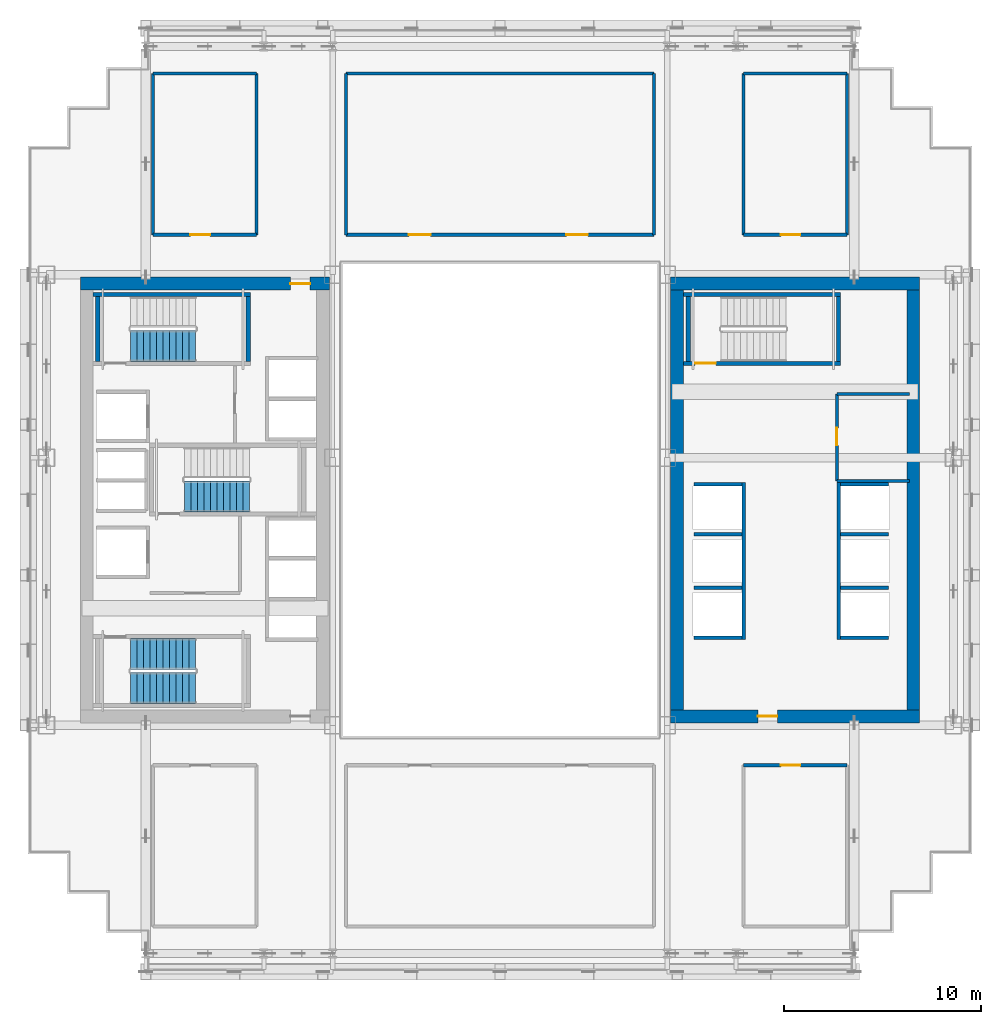
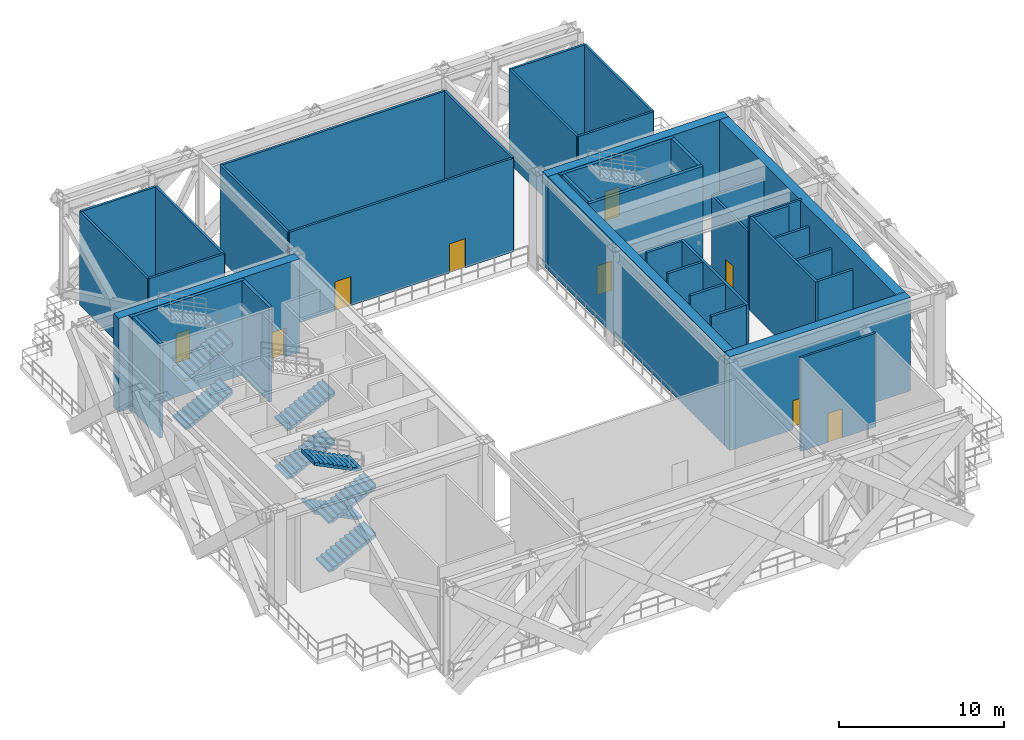
# One storey, part 8 of 14: 38 walls, 9 doors, 8 stair flights, 9 openings, 3 elements without a shape of their own.
"""IFC4 building model written with IfcOpenShell, lengths in metres."""

from ifc_helpers import new_model, si_unit, direction, frame, frame_2d, origin, place, context, subcontext, project, spatial, polyline, rectangle, outline, extrude, source, transform, mapped, material, layer, layer_set, type_object, element, fill, aggregate, save


model = new_model("IFC4")

# Units and contexts
model_context = context("Model", 3, precision=1e-05, world=origin(), true_north=direction((0.0, 1.0)))
body_context = subcontext(model_context, "Body", "Model", "MODEL_VIEW")
ifc_project = project(units=[si_unit("LENGTHUNIT", "METRE"), si_unit("AREAUNIT", "SQUARE_METRE"), si_unit("VOLUMEUNIT", "CUBIC_METRE"), si_unit("PLANEANGLEUNIT", "RADIAN"), si_unit("MASSUNIT", "GRAM", prefix="KILO")], contexts=[model_context])

# Site, building, storey
site_placement = place(None, origin())
site = spatial("IfcSite", under=ifc_project, at=site_placement, CompositionType="ELEMENT")
building_placement = place(site_placement, origin())
building = spatial("IfcBuilding", under=site, at=building_placement, Name="Ocotamira Hotel", CompositionType="ELEMENT")
storey_placement = place(building_placement, frame((0.0, 0.0, 85.199951171875)))
storey = spatial("IfcBuildingStorey", under=building, at=storey_placement, Name="L21", CompositionType="ELEMENT", Elevation=85.199951171875)

# Wall, opening, door
ifc_material_1 = material(Name="Concrete C60/75", Category="concrete")
ifc_layer_1 = layer(ifc_material_1, 0.64990234375)
ifc_layer_set_1 = layer_set([ifc_layer_1], Name="Concrete C60/75")
wall_type_1 = type_object("IfcWallType", Name="WL-CORE-650", PredefinedType="SHEAR", material=ifc_layer_set_1)
wall_1_placement = place(storey_placement, frame((10.675048828125, 37.0, 0.0), z_axis=(0.0, 0.0, 1.0), x_axis=(1.0, 0.0, 0.0)))
wall_1 = element("IfcWall", 1, at=wall_1_placement, inside=storey, type_object=wall_type_1, Name="L21 Shear Core Wall WCORE-N", PredefinedType="SHEAR", context=body_context, shape_type="SweptSolid", body=[
    extrude(rectangle(XDim=12.64990234375, YDim=0.64990234375, at=frame_2d((6.324951171875, 0.0))), origin(), (0.0, 0.0, 1.0), 6.920166015625),
])
opening_1_placement = place(wall_1_placement, frame((10.675048828125, 0.0, 0.0)))
opening_1 = element("IfcOpeningElement", 2, at=opening_1_placement, cuts=wall_1, Name="Opening D-FR2", PredefinedType="OPENING", context=body_context, shape_type="SweptSolid", body=[
    extrude(rectangle(XDim=1.0, YDim=2.14990234375, at=frame_2d((0.5, 1.074951171875))), frame((0.0, 0.3349609375, 0.0), z_axis=(0.0, -1.0, 0.0), x_axis=(1.0, 0.0, 0.0)), (0.0, 0.0, 1.0), 0.669921875),
])
ifc_material_2 = material(Name="Fire-rated acoustic timber-veneer door", Category="wood")
door_type_1 = type_object("IfcDoorType", Name="DR-FIRE-1000", OperationType="NOTDEFINED", PredefinedType="DOOR", material=ifc_material_2)
shared_shape_1 = source(origin(), body_context, "Body", "SweptSolid", [
    extrude(rectangle(XDim=1.0, YDim=2.14990234375, at=frame_2d((0.5, 1.074951171875))), frame((0.0, 0.02490234375, 0.0), z_axis=(0.0, -1.0, 0.0), x_axis=(1.0, 0.0, 0.0)), (0.0, 0.0, 1.0), 0.050048828125),
])
door_1_placement = place(opening_1_placement, origin())
door_1 = element("IfcDoor", 3, at=door_1_placement, inside=storey, type_object=door_type_1, Name="L21 Door ID-L21-WLOB-N-D [ID-L21-WLOB-N-D]", OperationType="SINGLE_SWING_RIGHT", OverallHeight=2.14990234375, OverallWidth=1.0, PredefinedType="DOOR", context=body_context, shape_type="MappedRepresentation", body=[
    mapped(shared_shape_1, transform((0.0, 0.0, 0.0), scale=1.0)),
])
fill(opening_1, door_1)

wall_2_placement = place(storey_placement, frame((40.675048828125, 15.0, 0.0), z_axis=(0.0, 0.0, 1.0), x_axis=(1.0, 0.0, 0.0)))
wall_2 = element("IfcWall", 4, at=wall_2_placement, inside=storey, type_object=wall_type_1, Name="L21 Shear Core Wall ECORE-S", PredefinedType="SHEAR", context=body_context, shape_type="SweptSolid", body=[
    extrude(rectangle(XDim=12.64990234375, YDim=0.64990234375, at=frame_2d((6.324951171875, 0.0))), origin(), (0.0, 0.0, 1.0), 6.920166015625),
])
opening_2_placement = place(wall_2_placement, frame((4.425048828125, 0.0, 0.0)))
opening_2 = element("IfcOpeningElement", 5, at=opening_2_placement, cuts=wall_2, Name="Opening D-FR2", PredefinedType="OPENING", context=body_context, shape_type="SweptSolid", body=[
    extrude(rectangle(XDim=1.0, YDim=2.14990234375, at=frame_2d((0.5, 1.074951171875))), frame((0.0, 0.3349609375, 0.0), z_axis=(0.0, -1.0, 0.0), x_axis=(1.0, 0.0, 0.0)), (0.0, 0.0, 1.0), 0.669921875),
])
door_2_placement = place(opening_2_placement, origin())
door_2 = element("IfcDoor", 6, at=door_2_placement, inside=storey, type_object=door_type_1, Name="L21 Door ID-L21-ELOB-S-D [ID-L21-ELOB-S-D]", OperationType="SINGLE_SWING_RIGHT", OverallHeight=2.14990234375, OverallWidth=1.0, PredefinedType="DOOR", context=body_context, shape_type="MappedRepresentation", body=[
    mapped(shared_shape_1, transform((0.0, 0.0, 0.0), scale=1.0)),
])
fill(opening_2, door_2)

# Walls
wall_3_placement = place(storey_placement, frame((40.675048828125, 37.0, 0.0), z_axis=(0.0, 0.0, 1.0), x_axis=(1.0, 0.0, 0.0)))
element("IfcWall", 7, at=wall_3_placement, inside=storey, type_object=wall_type_1, Name="L21 Shear Core Wall ECORE-N", PredefinedType="SHEAR", context=body_context, shape_type="SweptSolid", body=[
    extrude(rectangle(XDim=12.64990234375, YDim=0.64990234375, at=frame_2d((6.324951171875, 0.0))), origin(), (0.0, 0.0, 1.0), 6.920166015625),
])
for number, where, z_axis, x_axis, name in (
    (8, (41.0, 15.324951171875, 0.0), (0.0, 0.0, 1.0), (0.0, 1.0, 0.0), "L21 Shear Core Wall ECORE-W"),
    (9, (53.0, 15.324951171875, 0.0), (0.0, 0.0, 1.0), (0.0, 1.0, 0.0), "L21 Shear Core Wall ECORE-E"),
):
    element("IfcWall", number, at=place(storey_placement, frame(where, z_axis=z_axis, x_axis=x_axis)), inside=storey, type_object=wall_type_1, Name=name, PredefinedType="SHEAR", context=body_context, shape_type="SweptSolid", body=[
        extrude(rectangle(XDim=21.35009765625, YDim=0.64990234375, at=frame_2d((10.675048828125, 0.0))), origin(), (0.0, 0.0, 1.0), 6.920166015625),
    ])
ifc_material_3 = material(Name="Acoustic double-layer fire gypsum board partition", Category="gypsum")
ifc_layer_2 = layer(ifc_material_3, 0.159912109375)
ifc_layer_set_2 = layer_set([ifc_layer_2], Name="Acoustic double-layer fire gypsum board partition")
wall_type_2 = type_object("IfcWallType", Name="WL-FIRE-160", PredefinedType="PARTITIONING", material=ifc_layer_set_2)
wall_4_placement = place(storey_placement, frame((49.1201171875, 26.969970703125, 0.0), z_axis=(0.0, 0.0, 1.0), x_axis=(1.0, 0.0, 0.0)))
element("IfcWall", 10, at=wall_4_placement, inside=storey, type_object=wall_type_2, Name="L21 Interior Wall PW-L21-EC-NEL-S", PredefinedType="PARTITIONING", context=body_context, shape_type="SweptSolid", body=[
    extrude(rectangle(XDim=3.679931640625, YDim=0.159912109375, at=frame_2d((1.83984375, 0.0))), origin(), (0.0, 0.0, 1.0), 6.920166015625),
])
wall_5_placement = place(storey_placement, frame((49.1201171875, 31.3798828125, 0.0), z_axis=(0.0, 0.0, 1.0), x_axis=(1.0, 0.0, 0.0)))
element("IfcWall", 11, at=wall_5_placement, inside=storey, type_object=wall_type_2, Name="L21 Interior Wall PW-L21-EC-NEL-N", PredefinedType="PARTITIONING", context=body_context, shape_type="SweptSolid", body=[
    extrude(rectangle(XDim=3.679931640625, YDim=0.159912109375, at=frame_2d((1.83984375, 0.0))), origin(), (0.0, 0.0, 1.0), 5.820068359375),
])

# Wall, opening, door
wall_6_placement = place(storey_placement, frame((49.1201171875, 26.969970703125, 0.0), z_axis=(0.0, 0.0, 1.0), x_axis=(0.0, 1.0, 0.0)))
wall_6 = element("IfcWall", 12, at=wall_6_placement, inside=storey, type_object=wall_type_2, Name="L21 Interior Wall PW-L21-EC-NEL-W", PredefinedType="PARTITIONING", context=body_context, shape_type="SweptSolid", body=[
    extrude(rectangle(XDim=4.409912109375, YDim=0.159912109375, at=frame_2d((2.205078125, 0.0))), origin(), (0.0, 0.0, 1.0), 5.820068359375),
])
opening_3_placement = place(wall_6_placement, frame((1.800048828125, 0.0, 0.0)))
opening_3 = element("IfcOpeningElement", 13, at=opening_3_placement, cuts=wall_6, Name="Opening D-IN3", PredefinedType="OPENING", context=body_context, shape_type="SweptSolid", body=[
    extrude(rectangle(XDim=0.89990234375, YDim=2.14990234375, at=frame_2d((0.449951171875, 1.074951171875))), frame((0.0, 0.08984375, 0.0), z_axis=(0.0, -1.0, 0.0), x_axis=(1.0, 0.0, 0.0)), (0.0, 0.0, 1.0), 0.179931640625),
])
ifc_material_4 = material(Name="Painted service room door", Category="steel")
door_type_2 = type_object("IfcDoorType", Name="DR-INT-900", OperationType="NOTDEFINED", PredefinedType="DOOR", material=ifc_material_4)
shared_shape_2 = source(origin(), body_context, "Body", "SweptSolid", [
    extrude(rectangle(XDim=0.89990234375, YDim=2.14990234375, at=frame_2d((0.449951171875, 1.074951171875))), frame((0.0, 0.02490234375, 0.0), z_axis=(0.0, -1.0, 0.0), x_axis=(1.0, 0.0, 0.0)), (0.0, 0.0, 1.0), 0.050048828125),
])
door_3_placement = place(opening_3_placement, origin())
door_3 = element("IfcDoor", 14, at=door_3_placement, inside=storey, type_object=door_type_2, Name="L21 Door ID-L21-EC-NEL-D [ID-L21-EC-NEL-D]", OperationType="SINGLE_SWING_RIGHT", OverallHeight=2.14990234375, OverallWidth=0.89990234375, PredefinedType="DOOR", context=body_context, shape_type="MappedRepresentation", body=[
    mapped(shared_shape_2, transform((0.0, 0.0, 0.0), scale=1.0)),
])
fill(opening_3, door_3)

# Wall, openings, doors
wall_7_placement = place(storey_placement, frame((24.169921875, 39.47998046875, 0.0), z_axis=(0.0, 0.0, 1.0), x_axis=(1.0, 0.0, 0.0)))
wall_7 = element("IfcWall", 15, at=wall_7_placement, inside=storey, type_object=wall_type_2, Name="L21 Interior Wall PW-L21-L21-REFW-S", PredefinedType="PARTITIONING", context=body_context, shape_type="SweptSolid", body=[
    extrude(rectangle(XDim=15.66015625, YDim=0.159912109375, at=frame_2d((7.830078125, 0.0))), origin(), (0.0, 0.0, 1.0), 6.920166015625),
])
opening_4_placement = place(wall_7_placement, frame((3.199951171875, 0.0, 0.0)))
opening_4 = element("IfcOpeningElement", 16, at=opening_4_placement, cuts=wall_7, Name="Opening D-FR1", PredefinedType="OPENING", context=body_context, shape_type="SweptSolid", body=[
    extrude(rectangle(XDim=1.10009765625, YDim=2.14990234375, at=frame_2d((0.550048828125, 1.074951171875))), frame((0.0, 0.08984375, 0.0), z_axis=(0.0, -1.0, 0.0), x_axis=(1.0, 0.0, 0.0)), (0.0, 0.0, 1.0), 0.179931640625),
])
opening_5_placement = place(wall_7_placement, frame((11.199951171875, 0.0, 0.0)))
opening_5 = element("IfcOpeningElement", 17, at=opening_5_placement, cuts=wall_7, Name="Opening D-FR1", PredefinedType="OPENING", context=body_context, shape_type="SweptSolid", body=[
    extrude(rectangle(XDim=1.10009765625, YDim=2.14990234375, at=frame_2d((0.550048828125, 1.074951171875))), frame((0.0, 0.08984375, 0.0), z_axis=(0.0, -1.0, 0.0), x_axis=(1.0, 0.0, 0.0)), (0.0, 0.0, 1.0), 0.179931640625),
])
door_type_3 = type_object("IfcDoorType", Name="DR-FIRE-1100", OperationType="NOTDEFINED", PredefinedType="DOOR", material=ifc_material_2)
shared_shape_3 = source(origin(), body_context, "Body", "SweptSolid", [
    extrude(rectangle(XDim=1.10009765625, YDim=2.14990234375, at=frame_2d((0.550048828125, 1.074951171875))), frame((0.0, 0.02490234375, 0.0), z_axis=(0.0, -1.0, 0.0), x_axis=(1.0, 0.0, 0.0)), (0.0, 0.0, 1.0), 0.050048828125),
])
door_4_placement = place(opening_4_placement, origin())
door_4 = element("IfcDoor", 18, at=door_4_placement, inside=storey, type_object=door_type_3, Name="L21 Door ID-L21-L21-REFWD1 [ID-L21-L21-REFWD1]", OperationType="SINGLE_SWING_LEFT", OverallHeight=2.14990234375, OverallWidth=1.10009765625, PredefinedType="DOOR", context=body_context, shape_type="MappedRepresentation", body=[
    mapped(shared_shape_3, transform((0.0, 0.0, 0.0), scale=1.0)),
])
fill(opening_4, door_4)
door_5_placement = place(opening_5_placement, origin())
door_5 = element("IfcDoor", 19, at=door_5_placement, inside=storey, type_object=door_type_3, Name="L21 Door ID-L21-L21-REFWD2 [ID-L21-L21-REFWD2]", OperationType="SINGLE_SWING_RIGHT", OverallHeight=2.14990234375, OverallWidth=1.10009765625, PredefinedType="DOOR", context=body_context, shape_type="MappedRepresentation", body=[
    mapped(shared_shape_3, transform((0.0, 0.0, 0.0), scale=1.0)),
])
fill(opening_5, door_5)

# Walls
for number, where, z_axis, x_axis, name in (
    (20, (24.169921875, 39.47998046875, 0.0), (0.0, 0.0, 1.0), (0.0, 1.0, 0.0), "L21 Interior Wall PW-L21-L21-REFW-W"),
    (21, (39.830078125, 39.47998046875, 0.0), (0.0, 0.0, 1.0), (0.0, 1.0, 0.0), "L21 Interior Wall PW-L21-L21-REFW-E"),
):
    element("IfcWall", number, at=place(storey_placement, frame(where, z_axis=z_axis, x_axis=x_axis)), inside=storey, type_object=wall_type_2, Name=name, PredefinedType="PARTITIONING", context=body_context, shape_type="SweptSolid", body=[
        extrude(rectangle(XDim=8.199951171875, YDim=0.159912109375, at=frame_2d((4.10009765625, 0.0))), origin(), (0.0, 0.0, 1.0), 6.920166015625),
    ])
wall_8_placement = place(storey_placement, frame((24.169921875, 47.679931640625, 0.0), z_axis=(0.0, 0.0, 1.0), x_axis=(1.0, 0.0, 0.0)))
element("IfcWall", 22, at=wall_8_placement, inside=storey, type_object=wall_type_2, Name="L21 Interior Wall PW-L21-L21-REFW-N", PredefinedType="PARTITIONING", context=body_context, shape_type="SweptSolid", body=[
    extrude(rectangle(XDim=15.66015625, YDim=0.159912109375, at=frame_2d((7.830078125, 0.0))), origin(), (0.0, 0.0, 1.0), 6.920166015625),
])

# Wall, opening, door
wall_9_placement = place(storey_placement, frame((14.3701171875, 39.47998046875, 0.0), z_axis=(0.0, 0.0, 1.0), x_axis=(1.0, 0.0, 0.0)))
wall_9 = element("IfcWall", 23, at=wall_9_placement, inside=storey, type_object=wall_type_2, Name="L21 Interior Wall PW-L21-L21-PUMP-F", PredefinedType="PARTITIONING", context=body_context, shape_type="SweptSolid", body=[
    extrude(rectangle(XDim=5.259765625, YDim=0.159912109375, at=frame_2d((2.6298828125, 0.0))), origin(), (0.0, 0.0, 1.0), 6.920166015625),
])
opening_6_placement = place(wall_9_placement, frame((1.89990234375, 0.0, 0.0)))
opening_6 = element("IfcOpeningElement", 24, at=opening_6_placement, cuts=wall_9, Name="Opening D-FR2", PredefinedType="OPENING", context=body_context, shape_type="SweptSolid", body=[
    extrude(rectangle(XDim=1.0, YDim=2.14990234375, at=frame_2d((0.5, 1.074951171875))), frame((0.0, 0.08984375, 0.0), z_axis=(0.0, -1.0, 0.0), x_axis=(1.0, 0.0, 0.0)), (0.0, 0.0, 1.0), 0.179931640625),
])
door_6_placement = place(opening_6_placement, origin())
door_6 = element("IfcDoor", 25, at=door_6_placement, inside=storey, type_object=door_type_1, Name="L21 Door ID-L21-L21-PUMP-D [ID-L21-L21-PUMP-D]", OperationType="SINGLE_SWING_LEFT", OverallHeight=2.14990234375, OverallWidth=1.0, PredefinedType="DOOR", context=body_context, shape_type="MappedRepresentation", body=[
    mapped(shared_shape_1, transform((0.0, 0.0, 0.0), scale=1.0)),
])
fill(opening_6, door_6)

# Walls
wall_10_placement = place(storey_placement, frame((14.3701171875, 47.679931640625, 0.0), z_axis=(0.0, 0.0, 1.0), x_axis=(1.0, 0.0, 0.0)))
element("IfcWall", 26, at=wall_10_placement, inside=storey, type_object=wall_type_2, Name="L21 Interior Wall PW-L21-L21-PUMP-B", PredefinedType="PARTITIONING", context=body_context, shape_type="SweptSolid", body=[
    extrude(rectangle(XDim=5.259765625, YDim=0.159912109375, at=frame_2d((2.6298828125, 0.0))), origin(), (0.0, 0.0, 1.0), 6.920166015625),
])
for number, where, z_axis, x_axis, name in (
    (27, (14.3701171875, 39.47998046875, 0.0), (0.0, 0.0, 1.0), (0.0, 1.0, 0.0), "L21 Interior Wall PW-L21-L21-PUMP-W"),
    (28, (19.6298828125, 39.47998046875, 0.0), (0.0, 0.0, 1.0), (0.0, 1.0, 0.0), "L21 Interior Wall PW-L21-L21-PUMP-E"),
):
    element("IfcWall", number, at=place(storey_placement, frame(where, z_axis=z_axis, x_axis=x_axis)), inside=storey, type_object=wall_type_2, Name=name, PredefinedType="PARTITIONING", context=body_context, shape_type="SweptSolid", body=[
        extrude(rectangle(XDim=8.199951171875, YDim=0.159912109375, at=frame_2d((4.10009765625, 0.0))), origin(), (0.0, 0.0, 1.0), 6.920166015625),
    ])

# Wall, opening, door
wall_11_placement = place(storey_placement, frame((44.3701171875, 39.47998046875, 0.0), z_axis=(0.0, 0.0, 1.0), x_axis=(1.0, 0.0, 0.0)))
wall_11 = element("IfcWall", 29, at=wall_11_placement, inside=storey, type_object=wall_type_2, Name="L21 Interior Wall PW-L21-L21-ELEC-F", PredefinedType="PARTITIONING", context=body_context, shape_type="SweptSolid", body=[
    extrude(rectangle(XDim=5.259765625, YDim=0.159912109375, at=frame_2d((2.6298828125, 0.0))), origin(), (0.0, 0.0, 1.0), 6.920166015625),
])
opening_7_placement = place(wall_11_placement, frame((1.89990234375, 0.0, 0.0)))
opening_7 = element("IfcOpeningElement", 30, at=opening_7_placement, cuts=wall_11, Name="Opening D-FR2", PredefinedType="OPENING", context=body_context, shape_type="SweptSolid", body=[
    extrude(rectangle(XDim=1.0, YDim=2.14990234375, at=frame_2d((0.5, 1.074951171875))), frame((0.0, 0.08984375, 0.0), z_axis=(0.0, -1.0, 0.0), x_axis=(1.0, 0.0, 0.0)), (0.0, 0.0, 1.0), 0.179931640625),
])
door_7_placement = place(opening_7_placement, origin())
door_7 = element("IfcDoor", 31, at=door_7_placement, inside=storey, type_object=door_type_1, Name="L21 Door ID-L21-L21-ELEC-D [ID-L21-L21-ELEC-D]", OperationType="SINGLE_SWING_LEFT", OverallHeight=2.14990234375, OverallWidth=1.0, PredefinedType="DOOR", context=body_context, shape_type="MappedRepresentation", body=[
    mapped(shared_shape_1, transform((0.0, 0.0, 0.0), scale=1.0)),
])
fill(opening_7, door_7)

# Walls
wall_12_placement = place(storey_placement, frame((44.3701171875, 47.679931640625, 0.0), z_axis=(0.0, 0.0, 1.0), x_axis=(1.0, 0.0, 0.0)))
element("IfcWall", 32, at=wall_12_placement, inside=storey, type_object=wall_type_2, Name="L21 Interior Wall PW-L21-L21-ELEC-B", PredefinedType="PARTITIONING", context=body_context, shape_type="SweptSolid", body=[
    extrude(rectangle(XDim=5.259765625, YDim=0.159912109375, at=frame_2d((2.6298828125, 0.0))), origin(), (0.0, 0.0, 1.0), 6.920166015625),
])
for number, where, z_axis, x_axis, name in (
    (33, (44.3701171875, 39.47998046875, 0.0), (0.0, 0.0, 1.0), (0.0, 1.0, 0.0), "L21 Interior Wall PW-L21-L21-ELEC-W"),
    (34, (49.6298828125, 39.47998046875, 0.0), (0.0, 0.0, 1.0), (0.0, 1.0, 0.0), "L21 Interior Wall PW-L21-L21-ELEC-E"),
):
    element("IfcWall", number, at=place(storey_placement, frame(where, z_axis=z_axis, x_axis=x_axis)), inside=storey, type_object=wall_type_2, Name=name, PredefinedType="PARTITIONING", context=body_context, shape_type="SweptSolid", body=[
        extrude(rectangle(XDim=8.199951171875, YDim=0.159912109375, at=frame_2d((4.10009765625, 0.0))), origin(), (0.0, 0.0, 1.0), 6.920166015625),
    ])

# Wall, opening, door
wall_13_placement = place(storey_placement, frame((44.3701171875, 12.52001953125, 0.0), z_axis=(0.0, 0.0, 1.0), x_axis=(1.0, 0.0, 0.0)))
wall_13 = element("IfcWall", 35, at=wall_13_placement, inside=storey, type_object=wall_type_2, Name="L21 Interior Wall PW-L21-L21-AHU-F", PredefinedType="PARTITIONING", context=body_context, shape_type="SweptSolid", body=[
    extrude(rectangle(XDim=5.259765625, YDim=0.159912109375, at=frame_2d((2.6298828125, 0.0))), origin(), (0.0, 0.0, 1.0), 6.920166015625),
])
opening_8_placement = place(wall_13_placement, frame((1.89990234375, 0.0, 0.0)))
opening_8 = element("IfcOpeningElement", 36, at=opening_8_placement, cuts=wall_13, Name="Opening D-FR2", PredefinedType="OPENING", context=body_context, shape_type="SweptSolid", body=[
    extrude(rectangle(XDim=1.0, YDim=2.14990234375, at=frame_2d((0.5, 1.074951171875))), frame((0.0, 0.08984375, 0.0), z_axis=(0.0, -1.0, 0.0), x_axis=(1.0, 0.0, 0.0)), (0.0, 0.0, 1.0), 0.179931640625),
])
door_8_placement = place(opening_8_placement, origin())
door_8 = element("IfcDoor", 37, at=door_8_placement, inside=storey, type_object=door_type_1, Name="L21 Door ID-L21-L21-AHU-D [ID-L21-L21-AHU-D]", OperationType="SINGLE_SWING_RIGHT", OverallHeight=2.14990234375, OverallWidth=1.0, PredefinedType="DOOR", context=body_context, shape_type="MappedRepresentation", body=[
    mapped(shared_shape_1, transform((0.0, 0.0, 0.0), scale=1.0)),
])
fill(opening_8, door_8)

# Walls
ifc_material_5 = material(Name="Fire-rated gypsum shaftliner board assembly", Category="gypsum")
ifc_layer_3 = layer(ifc_material_5, 0.179931640625)
ifc_layer_set_3 = layer_set([ifc_layer_3], Name="Fire-rated gypsum shaftliner board assembly")
wall_type_3 = type_object("IfcWallType", Name="WL-SHAFT-180", PredefinedType="SOLIDWALL", material=ifc_layer_set_3)
wall_14_placement = place(storey_placement, frame((49.2099609375, 18.919921875, 0.0), z_axis=(0.0, 0.0, 1.0), x_axis=(0.0, 1.0, 0.0)))
element("IfcWall", 38, at=wall_14_placement, inside=storey, type_object=wall_type_3, Name="L21 Interior Wall PW-L21-LFW-BANK-low-F", PredefinedType="SOLIDWALL", context=body_context, shape_type="SweptSolid", body=[
    extrude(rectangle(XDim=7.9599609375, YDim=0.179931640625, at=frame_2d((3.97998046875, 0.0))), origin(), (0.0, 0.0, 1.0), 6.920166015625),
])
for number, where, z_axis, x_axis, name in (
    (39, (49.300048828125, 19.010009765625, 0.0), (0.0, 0.0, 1.0), (1.0, 0.0, 0.0), "L21 Interior Wall PW-L21-LFW-BANK-low-S"),
    (40, (49.300048828125, 26.7900390625, 0.0), (0.0, 0.0, 1.0), (1.0, 0.0, 0.0), "L21 Interior Wall PW-L21-LFW-BANK-low-N"),
    (41, (49.300048828125, 21.550048828125, 0.0), (0.0, 0.0, 1.0), (1.0, 0.0, 0.0), "L21 Interior Wall PW-L21-LFW-DIV-LF-P1"),
    (42, (49.300048828125, 24.25, 0.0), (0.0, 0.0, 1.0), (1.0, 0.0, 0.0), "L21 Interior Wall PW-L21-LFW-DIV-LF-P2"),
):
    element("IfcWall", number, at=place(storey_placement, frame(where, z_axis=z_axis, x_axis=x_axis)), inside=storey, type_object=wall_type_3, Name=name, PredefinedType="SOLIDWALL", context=body_context, shape_type="SweptSolid", body=[
        extrude(rectangle(XDim=2.449951171875, YDim=0.179931640625, at=frame_2d((1.22509765625, 0.0))), origin(), (0.0, 0.0, 1.0), 6.920166015625),
    ])
wall_15_placement = place(storey_placement, frame((44.389892578125, 18.919921875, 0.0), z_axis=(0.0, 0.0, 1.0), x_axis=(0.0, 1.0, 0.0)))
element("IfcWall", 43, at=wall_15_placement, inside=storey, type_object=wall_type_3, Name="L21 Interior Wall PW-L21-LFW-BANK-mid-F", PredefinedType="SOLIDWALL", context=body_context, shape_type="SweptSolid", body=[
    extrude(rectangle(XDim=7.9599609375, YDim=0.179931640625, at=frame_2d((3.97998046875, 0.0))), origin(), (0.0, 0.0, 1.0), 6.920166015625),
])
for number, where, z_axis, x_axis, name in (
    (44, (41.85009765625, 19.010009765625, 0.0), (0.0, 0.0, 1.0), (1.0, 0.0, 0.0), "L21 Interior Wall PW-L21-LFW-BANK-mid-S"),
    (45, (41.85009765625, 26.7900390625, 0.0), (0.0, 0.0, 1.0), (1.0, 0.0, 0.0), "L21 Interior Wall PW-L21-LFW-BANK-mid-N"),
    (46, (41.85009765625, 21.550048828125, 0.0), (0.0, 0.0, 1.0), (1.0, 0.0, 0.0), "L21 Interior Wall PW-L21-LFW-DIV-LF-P4"),
    (47, (41.85009765625, 24.25, 0.0), (0.0, 0.0, 1.0), (1.0, 0.0, 0.0), "L21 Interior Wall PW-L21-LFW-DIV-LF-P5"),
):
    element("IfcWall", number, at=place(storey_placement, frame(where, z_axis=z_axis, x_axis=x_axis)), inside=storey, type_object=wall_type_3, Name=name, PredefinedType="SOLIDWALL", context=body_context, shape_type="SweptSolid", body=[
        extrude(rectangle(XDim=2.449951171875, YDim=0.179931640625, at=frame_2d((1.22509765625, 0.0))), origin(), (0.0, 0.0, 1.0), 6.920166015625),
    ])
ifc_material_6 = material(Name="Concrete C50/60", Category="concrete")
ifc_layer_4 = layer(ifc_material_6, 0.219970703125)
ifc_layer_set_4 = layer_set([ifc_layer_4], Name="Concrete C50/60")
wall_type_4 = type_object("IfcWallType", Name="WL-STAIR-220", PredefinedType="SHEAR", material=ifc_layer_set_4)
wall_16_placement = place(storey_placement, frame((11.324951171875, 36.43994140625, 0.0), z_axis=(0.0, 0.0, 1.0), x_axis=(1.0, 0.0, 0.0)))
element("IfcWall", 48, at=wall_16_placement, inside=storey, type_object=wall_type_4, Name="L21 Stair Shaft Structural Wall ST-2-N", PredefinedType="SHEAR", context=body_context, shape_type="SweptSolid", body=[
    extrude(rectangle(XDim=7.985107421875, YDim=0.219970703125, at=frame_2d((3.99267578125, 0.0))), origin(), (0.0, 0.0, 1.0), 7.0),
])
for number, where, z_axis, x_axis, name in (
    (49, (11.56005859375, 33.050048828125, 0.0), (0.0, 0.0, 1.0), (0.0, 1.0, 0.0), "L21 Stair Shaft Structural Wall ST-2-W"),
    (50, (19.199951171875, 33.050048828125, 0.0), (0.0, 0.0, 1.0), (0.0, 1.0, 0.0), "L21 Stair Shaft Structural Wall ST-2-E"),
):
    element("IfcWall", number, at=place(storey_placement, frame(where, z_axis=z_axis, x_axis=x_axis)), inside=storey, type_object=wall_type_4, Name=name, PredefinedType="SHEAR", context=body_context, shape_type="SweptSolid", body=[
        extrude(rectangle(XDim=3.280029296875, YDim=0.219970703125, at=frame_2d((1.64013671875, 0.0))), origin(), (0.0, 0.0, 1.0), 7.0),
    ])

# Wall, opening, door
wall_17_placement = place(storey_placement, frame((41.324951171875, 32.93994140625, 0.0), z_axis=(0.0, 0.0, 1.0), x_axis=(1.0, 0.0, 0.0)))
wall_17 = element("IfcWall", 51, at=wall_17_placement, inside=storey, type_object=wall_type_4, Name="L21 Stair Shaft Structural Wall ST-4-S", PredefinedType="SHEAR", context=body_context, shape_type="SweptSolid", body=[
    extrude(rectangle(XDim=7.985107421875, YDim=0.219970703125, at=frame_2d((3.99267578125, 0.0))), origin(), (0.0, 0.0, 1.0), 7.0),
])
opening_9_placement = place(wall_17_placement, frame((0.594970703125, 0.0, 0.0)))
opening_9 = element("IfcOpeningElement", 52, at=opening_9_placement, cuts=wall_17, Name="Opening D-ST2", PredefinedType="OPENING", context=body_context, shape_type="SweptSolid", body=[
    extrude(rectangle(XDim=1.050048828125, YDim=2.14990234375, at=frame_2d((0.52490234375, 1.074951171875))), frame((0.0, 0.1201171875, 0.0), z_axis=(0.0, -1.0, 0.0), x_axis=(1.0, 0.0, 0.0)), (0.0, 0.0, 1.0), 0.239990234375),
])
ifc_material_7 = material(Name="Insulated painted hollow-metal fire exit door", Category="steel")
door_type_4 = type_object("IfcDoorType", Name="DR-STAIR-1050", OperationType="NOTDEFINED", PredefinedType="DOOR", material=ifc_material_7)
shared_shape_4 = source(origin(), body_context, "Body", "SweptSolid", [
    extrude(rectangle(XDim=1.050048828125, YDim=2.14990234375, at=frame_2d((0.52490234375, 1.074951171875))), frame((0.0, 0.02490234375, 0.0), z_axis=(0.0, -1.0, 0.0), x_axis=(1.0, 0.0, 0.0)), (0.0, 0.0, 1.0), 0.050048828125),
])
door_9_placement = place(opening_9_placement, origin())
door_9 = element("IfcDoor", 53, at=door_9_placement, inside=storey, type_object=door_type_4, Name="L21 Door ID-L21-STD-ST-4 [ID-L21-STD-ST-4]", OperationType="SINGLE_SWING_LEFT", OverallHeight=2.14990234375, OverallWidth=1.050048828125, PredefinedType="DOOR", context=body_context, shape_type="MappedRepresentation", body=[
    mapped(shared_shape_4, transform((0.0, 0.0, 0.0), scale=1.0)),
])
fill(opening_9, door_9)

# Walls
wall_18_placement = place(storey_placement, frame((41.324951171875, 36.43994140625, 0.0), z_axis=(0.0, 0.0, 1.0), x_axis=(1.0, 0.0, 0.0)))
element("IfcWall", 54, at=wall_18_placement, inside=storey, type_object=wall_type_4, Name="L21 Stair Shaft Structural Wall ST-4-N", PredefinedType="SHEAR", context=body_context, shape_type="SweptSolid", body=[
    extrude(rectangle(XDim=7.985107421875, YDim=0.219970703125, at=frame_2d((3.99267578125, 0.0))), origin(), (0.0, 0.0, 1.0), 7.0),
])
for number, where, z_axis, x_axis, name in (
    (55, (41.56005859375, 33.050048828125, 0.0), (0.0, 0.0, 1.0), (0.0, 1.0, 0.0), "L21 Stair Shaft Structural Wall ST-4-W"),
    (56, (49.199951171875, 33.050048828125, 0.0), (0.0, 0.0, 1.0), (0.0, 1.0, 0.0), "L21 Stair Shaft Structural Wall ST-4-E"),
):
    element("IfcWall", number, at=place(storey_placement, frame(where, z_axis=z_axis, x_axis=x_axis)), inside=storey, type_object=wall_type_4, Name=name, PredefinedType="SHEAR", context=body_context, shape_type="SweptSolid", body=[
        extrude(rectangle(XDim=3.280029296875, YDim=0.219970703125, at=frame_2d((1.64013671875, 0.0))), origin(), (0.0, 0.0, 1.0), 7.0),
    ])

# Stair, stair flights
ifc_material_8 = material(Name="Concrete C40/50", Category="concrete")
stair_type = type_object("IfcStairType", Name="ST-CORE-1560", PredefinedType="HALF_TURN_STAIR", material=ifc_material_8)
stair_1_placement = place(storey_placement, origin())
stair_1 = element("IfcStair", 57, at=stair_1_placement, inside=storey, type_object=stair_type, Name="L21 Exit Stair ST-1", PredefinedType="HALF_TURN_STAIR")
stair_flight_type = type_object("IfcStairFlightType", Name="STF-CORE-1560", PredefinedType="STRAIGHT", material=ifc_material_8)
shared_shape_5 = source(origin(), body_context, "Body", "SweptSolid", [
    extrude(outline(polyline([(-0.00390625, 0.0), (-0.00390625, 0.16357421875), (0.330078125, 0.16357421875), (0.330078125, 0.327392578125), (0.659912109375, 0.327392578125), (0.659912109375, 0.490966796875), (0.989990234375, 0.490966796875), (0.989990234375, 0.654541015625), (1.320068359375, 0.654541015625), (1.320068359375, 0.818115234375), (1.64990234375, 0.818115234375), (1.64990234375, 0.98193359375), (1.97998046875, 0.98193359375), (1.97998046875, 1.1455078125), (2.31005859375, 1.1455078125), (2.31005859375, 1.30908203125), (2.639892578125, 1.30908203125), (2.639892578125, 1.47265625), (2.969970703125, 1.47265625), (2.969970703125, 1.636474609375), (3.300048828125, 1.636474609375), (3.300048828125, 1.800048828125), (3.303955078125, 1.800048828125), (3.303955078125, 1.468994140625), (0.33740234375, 0.0), (-0.00390625, 0.0)])), frame((0.0, 0.780029296875, 0.0), z_axis=(0.0, -1.0, 0.0), x_axis=(1.0, 0.0, 0.0)), (0.0, 0.0, 1.0), 1.56005859375),
])
stair_flight_1_placement = place(storey_placement, frame((13.22998046875, 16.449951171875, 0.0), z_axis=(0.0, 0.0, 1.0), x_axis=(1.0, 0.0, 0.0)))
stair_flight_1 = element("IfcStairFlight", 58, at=stair_flight_1_placement, type_object=stair_flight_type, Name="ST-1 flight 1", NumberOfRisers=11, NumberOfTreads=10, PredefinedType="STRAIGHT", RiserHeight=0.163636364, TreadLength=0.33, context=body_context, shape_type="MappedRepresentation", body=[
    mapped(shared_shape_5, transform((0.0, 0.0, 0.0), scale=1.0)),
])
stair_flight_2_placement = place(storey_placement, frame((16.530029296875, 18.169921875, 1.800048828125), z_axis=(0.0, 0.0, 1.0), x_axis=(-1.0, 0.0, 0.0)))
stair_flight_2 = element("IfcStairFlight", 59, at=stair_flight_2_placement, type_object=stair_flight_type, Name="ST-1 flight 2", NumberOfRisers=11, NumberOfTreads=10, PredefinedType="STRAIGHT", RiserHeight=0.163636364, TreadLength=0.33, context=body_context, shape_type="MappedRepresentation", body=[
    mapped(shared_shape_5, transform((0.0, 0.0, 0.0), scale=1.0)),
])
stair_flight_3_placement = place(storey_placement, frame((13.22998046875, 16.449951171875, 3.60009765625), z_axis=(0.0, 0.0, 1.0), x_axis=(1.0, 0.0, 0.0)))
stair_flight_3 = element("IfcStairFlight", 60, at=stair_flight_3_placement, type_object=stair_flight_type, Name="ST-1 flight 3", NumberOfRisers=11, NumberOfTreads=10, PredefinedType="STRAIGHT", RiserHeight=0.163636364, TreadLength=0.33, context=body_context, shape_type="MappedRepresentation", body=[
    mapped(shared_shape_5, transform((0.0, 0.0, 0.0), scale=1.0)),
])
stair_flight_4_placement = place(storey_placement, frame((16.530029296875, 18.169921875, 5.400146484375), z_axis=(0.0, 0.0, 1.0), x_axis=(-1.0, 0.0, 0.0)))
stair_flight_4 = element("IfcStairFlight", 61, at=stair_flight_4_placement, type_object=stair_flight_type, Name="ST-1 flight 4", NumberOfRisers=11, NumberOfTreads=10, PredefinedType="STRAIGHT", RiserHeight=0.163636364, TreadLength=0.33, context=body_context, shape_type="MappedRepresentation", body=[
    mapped(shared_shape_5, transform((0.0, 0.0, 0.0), scale=1.0)),
])
aggregate(stair_1, [stair_flight_1, stair_flight_2, stair_flight_3, stair_flight_4])

stair_2_placement = place(storey_placement, origin())
stair_2 = element("IfcStair", 62, at=stair_2_placement, inside=storey, type_object=stair_type, Name="L21 Exit Stair ST-2", PredefinedType="HALF_TURN_STAIR")
stair_flight_5_placement = place(storey_placement, frame((13.22998046875, 33.830078125, 0.0), z_axis=(0.0, 0.0, 1.0), x_axis=(1.0, 0.0, 0.0)))
stair_flight_5 = element("IfcStairFlight", 63, at=stair_flight_5_placement, type_object=stair_flight_type, Name="ST-2 flight 1", NumberOfRisers=11, NumberOfTreads=10, PredefinedType="STRAIGHT", RiserHeight=0.163636364, TreadLength=0.33, context=body_context, shape_type="MappedRepresentation", body=[
    mapped(shared_shape_5, transform((0.0, 0.0, 0.0), scale=1.0)),
])
stair_flight_6_placement = place(storey_placement, frame((13.22998046875, 33.830078125, 3.60009765625), z_axis=(0.0, 0.0, 1.0), x_axis=(1.0, 0.0, 0.0)))
stair_flight_6 = element("IfcStairFlight", 64, at=stair_flight_6_placement, type_object=stair_flight_type, Name="ST-2 flight 3", NumberOfRisers=11, NumberOfTreads=10, PredefinedType="STRAIGHT", RiserHeight=0.163636364, TreadLength=0.33, context=body_context, shape_type="MappedRepresentation", body=[
    mapped(shared_shape_5, transform((0.0, 0.0, 0.0), scale=1.0)),
])
aggregate(stair_2, [stair_flight_5, stair_flight_6])

stair_3_placement = place(storey_placement, origin())
stair_3 = element("IfcStair", 65, at=stair_3_placement, inside=storey, type_object=stair_type, Name="L21 Exit Stair ST-3", PredefinedType="HALF_TURN_STAIR")
stair_flight_7_placement = place(storey_placement, frame((15.9599609375, 26.179931640625, 0.0), z_axis=(0.0, 0.0, 1.0), x_axis=(1.0, 0.0, 0.0)))
stair_flight_7 = element("IfcStairFlight", 66, at=stair_flight_7_placement, type_object=stair_flight_type, Name="ST-3 flight 1", NumberOfRisers=11, NumberOfTreads=10, PredefinedType="STRAIGHT", RiserHeight=0.163636364, TreadLength=0.33, context=body_context, shape_type="MappedRepresentation", body=[
    mapped(shared_shape_5, transform((0.0, 0.0, 0.0), scale=1.0)),
])
stair_flight_8_placement = place(storey_placement, frame((15.9599609375, 26.179931640625, 3.60009765625), z_axis=(0.0, 0.0, 1.0), x_axis=(1.0, 0.0, 0.0)))
stair_flight_8 = element("IfcStairFlight", 67, at=stair_flight_8_placement, type_object=stair_flight_type, Name="ST-3 flight 3", NumberOfRisers=11, NumberOfTreads=10, PredefinedType="STRAIGHT", RiserHeight=0.163636364, TreadLength=0.33, context=body_context, shape_type="MappedRepresentation", body=[
    mapped(shared_shape_5, transform((0.0, 0.0, 0.0), scale=1.0)),
])
aggregate(stair_3, [stair_flight_7, stair_flight_8])

save(model, "model.ifc")
